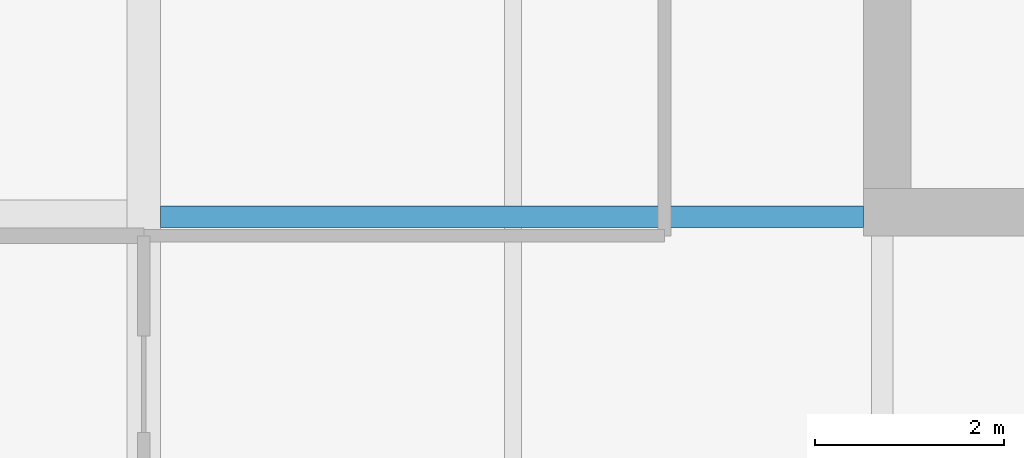
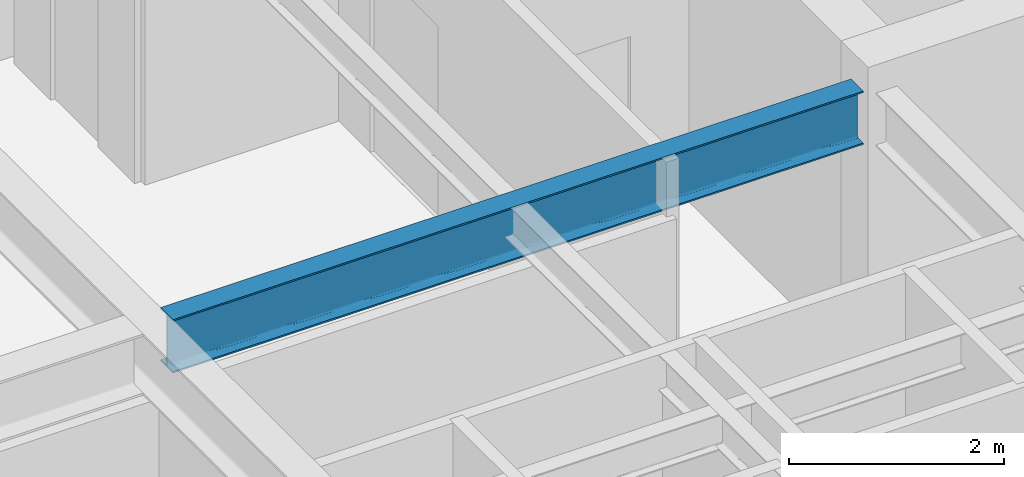
# One storey, part 8 of 33: 1 beam.
"""IFC4 building model written with IfcOpenShell, lengths in metres."""

from ifc_helpers import new_model, si_unit, direction, frame, origin, origin_2d, place, context, subcontext, project, spatial, i_section, extrude, material, material_profile, profile_set, type_object, element, save


model = new_model("IFC4")

# Units and contexts
model_context = context("Model", 3, precision=1e-05, world=origin(), true_north=direction((0.0, 1.0)))
body_context = subcontext(model_context, "Body", "Model", "MODEL_VIEW")
ifc_project = project(units=[si_unit("LENGTHUNIT", "METRE"), si_unit("AREAUNIT", "SQUARE_METRE"), si_unit("VOLUMEUNIT", "CUBIC_METRE"), si_unit("PLANEANGLEUNIT", "RADIAN"), si_unit("MASSUNIT", "GRAM", prefix="KILO")], contexts=[model_context])

# Site, building, storey
site_placement = place(None, origin())
site = spatial("IfcSite", under=ifc_project, at=site_placement, CompositionType="ELEMENT")
building_placement = place(site_placement, origin())
building = spatial("IfcBuilding", under=site, at=building_placement, Name="Drelvath Grand Hotel", CompositionType="ELEMENT")
storey_placement = place(building_placement, frame((0.0, 0.0, 196.550048828125)))
storey = spatial("IfcBuildingStorey", under=building, at=storey_placement, Name="L51", CompositionType="ELEMENT", Elevation=196.550048828125)

# Beam
ifc_material = material(Name="Steel ASTM A992 Gr 50", Category="steel")
ifc_material_profile = material_profile(ifc_material, i_section(OverallWidth=0.228271484375, OverallDepth=0.607666015625, WebThickness=0.01123046875, FlangeThickness=0.017333984375, FilletRadius=0.02001953125, at=origin_2d()), Name="W24X76")
ifc_profile_set = profile_set([ifc_material_profile], Name="Steel ASTM A992 Gr 50")
beam_type = type_object("IfcBeamType", Name="Primary Floor Girder W24X76", PredefinedType="BEAM", material=ifc_profile_set)
beam_placement = place(storey_placement, frame((-16.022705078125, 18.60009765625, 2.92626953125), z_axis=(1.0, 0.0, 0.0), x_axis=(0.0, 1.0, 0.0)))
element("IfcBeam", 1, at=beam_placement, inside=storey, type_object=beam_type, Name="L51 West Core Tie D", PredefinedType="BEAM", context=body_context, shape_type="SweptSolid", body=[
    extrude(i_section(OverallWidth=0.228271484375, OverallDepth=0.607666015625, WebThickness=0.01123046875, FlangeThickness=0.017333984375, FilletRadius=0.02001953125, at=origin_2d()), origin(), (0.0, 0.0, 1.0), 7.422607421875),
])

save(model, "model.ifc")
